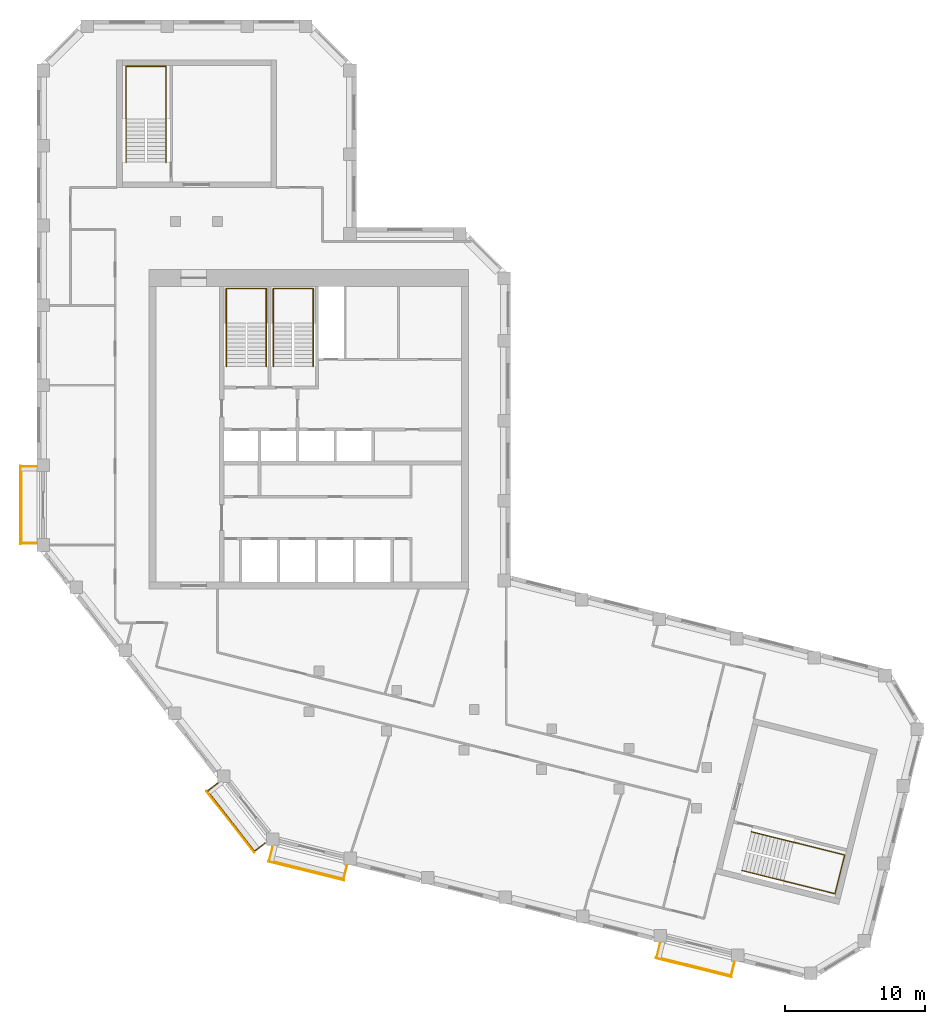
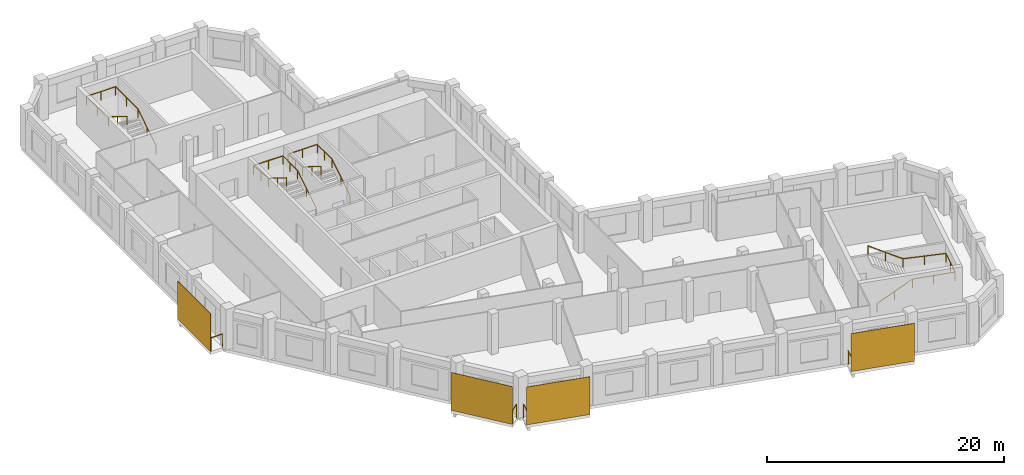
# One storey, part 8 of 8: 8 railings, 4 shading devices.
"""IFC4 building model written with IfcOpenShell, lengths in metres."""

from ifc_helpers import new_model, si_unit, direction, frame, origin, origin_2d, place, context, subcontext, project, spatial, rectangle, circle, extrude, material, layer, layer_set, type_object, element, save


model = new_model("IFC4")

# Units and contexts
model_context = context("Model", 3, precision=1e-05, world=origin(), true_north=direction((0.0, 1.0)))
body_context = subcontext(model_context, "Body", "Model", "MODEL_VIEW")
ifc_project = project(units=[si_unit("LENGTHUNIT", "METRE"), si_unit("AREAUNIT", "SQUARE_METRE"), si_unit("VOLUMEUNIT", "CUBIC_METRE"), si_unit("PLANEANGLEUNIT", "RADIAN"), si_unit("MASSUNIT", "GRAM", prefix="KILO")], contexts=[model_context])

# Site, building, storey
site_placement = place(None, origin())
site = spatial("IfcSite", under=ifc_project, at=site_placement, CompositionType="ELEMENT")
building_placement = place(site_placement, origin())
building = spatial("IfcBuilding", under=site, at=building_placement, Name="Meshkara Civic Tower", CompositionType="ELEMENT")
storey_placement = place(building_placement, frame((0.0, 0.0, 391.800048828125)))
storey = spatial("IfcBuildingStorey", under=building, at=storey_placement, Name="L90", CompositionType="ELEMENT", Elevation=391.800048828125)

# Railings
ifc_material_1 = material(Name="Steel S355", Category="steel")
railing_type_1 = type_object("IfcRailingType", Name="BALUSTRADE GUARD 1400", PredefinedType="BALUSTRADE", material=ifc_material_1)
railing_1_placement = place(storey_placement, frame((0.0, 22.8349609375, 0.0)))
element("IfcRailing", 1, at=railing_1_placement, inside=storey, type_object=railing_type_1, Name="Balcony guard", PredefinedType="BALUSTRADE", context=body_context, shape_type="SweptSolid", body=[
    extrude(circle(Radius=0.02392578125, at=origin_2d()), frame((0.0, 0.0, 1.3759765625), z_axis=(-1.0, 0.0, 0.0), x_axis=(0.0, -1.0, 0.0)), (0.0, 0.0, 1.0), 1.110107421875),
    extrude(circle(Radius=0.02392578125, at=origin_2d()), frame((-1.110107421875, 0.0, 1.3759765625), z_axis=(0.0, -1.0, 0.0), x_axis=(1.0, 0.0, 0.0)), (0.0, 0.0, 1.0), 5.4599609375),
    extrude(circle(Radius=0.02392578125, at=origin_2d()), frame((-1.110107421875, -5.4599609375, 1.3759765625), z_axis=(1.0, 0.0, 0.0), x_axis=(0.0, 1.0, 0.0)), (0.0, 0.0, 1.0), 1.110107421875),
    extrude(circle(Radius=0.02099609375, at=origin_2d()), origin(), (0.0, 0.0, 1.0), 1.351806640625),
    extrude(circle(Radius=0.02099609375, at=origin_2d()), frame((-1.110107421875, 0.0, 0.0)), (0.0, 0.0, 1.0), 1.351806640625),
    extrude(circle(Radius=0.02099609375, at=origin_2d()), frame((-1.110107421875, -1.092041015625, 0.0)), (0.0, 0.0, 1.0), 1.351806640625),
    extrude(circle(Radius=0.02099609375, at=origin_2d()), frame((-1.110107421875, -2.18408203125, 0.0)), (0.0, 0.0, 1.0), 1.351806640625),
    extrude(circle(Radius=0.02099609375, at=origin_2d()), frame((-1.110107421875, -3.27587890625, 0.0)), (0.0, 0.0, 1.0), 1.351806640625),
    extrude(circle(Radius=0.02099609375, at=origin_2d()), frame((-1.110107421875, -4.367919921875, 0.0)), (0.0, 0.0, 1.0), 1.351806640625),
    extrude(circle(Radius=0.02099609375, at=origin_2d()), frame((-1.110107421875, -5.4599609375, 0.0)), (0.0, 0.0, 1.0), 1.351806640625),
    extrude(circle(Radius=0.02099609375, at=origin_2d()), frame((0.0, -5.4599609375, 0.0)), (0.0, 0.0, 1.0), 1.351806640625),
])
railing_2_placement = place(storey_placement, frame((12.91796875, 0.27001953125, 0.0)))
element("IfcRailing", 2, at=railing_2_placement, inside=storey, type_object=railing_type_1, Name="Balcony guard", PredefinedType="BALUSTRADE", context=body_context, shape_type="SweptSolid", body=[
    extrude(circle(Radius=0.02392578125, at=origin_2d()), frame((0.0, 0.0, 1.3759765625), z_axis=(-0.788430880583, -0.615123358801, 0.0), x_axis=(0.615123358801, -0.788430880583, 0.0)), (0.0, 0.0, 1.0), 0.92822265625),
    extrude(circle(Radius=0.02392578125, at=origin_2d()), frame((-0.73193359375, -0.571044921875, 1.3759765625), z_axis=(0.615684818606, -0.787992515281, 0.0), x_axis=(0.787992515281, 0.615684818606, 0.0)), (0.0, 0.0, 1.0), 5.460693359375),
    extrude(circle(Radius=0.02392578125, at=origin_2d()), frame((2.630126953125, -4.8740234375, 1.3759765625), z_axis=(0.787920766417, 0.615776636329, 0.0), x_axis=(-0.615776636329, 0.787920766417, 0.0)), (0.0, 0.0, 1.0), 0.928955078125),
    extrude(circle(Radius=0.02099609375, at=origin_2d()), origin(), (0.0, 0.0, 1.0), 1.351806640625),
    extrude(circle(Radius=0.02099609375, at=origin_2d()), frame((-0.73193359375, -0.571044921875, 0.0)), (0.0, 0.0, 1.0), 1.351806640625),
    extrude(circle(Radius=0.02099609375, at=origin_2d()), frame((-0.0595703125, -1.431640625, 0.0)), (0.0, 0.0, 1.0), 1.351806640625),
    extrude(circle(Radius=0.02099609375, at=origin_2d()), frame((0.61279296875, -2.292236328125, 0.0)), (0.0, 0.0, 1.0), 1.351806640625),
    extrude(circle(Radius=0.02099609375, at=origin_2d()), frame((1.285400390625, -3.15283203125, 0.0)), (0.0, 0.0, 1.0), 1.351806640625),
    extrude(circle(Radius=0.02099609375, at=origin_2d()), frame((1.957763671875, -4.013427734375, 0.0)), (0.0, 0.0, 1.0), 1.351806640625),
    extrude(circle(Radius=0.02099609375, at=origin_2d()), frame((2.630126953125, -4.8740234375, 0.0)), (0.0, 0.0, 1.0), 1.351806640625),
    extrude(circle(Radius=0.02099609375, at=origin_2d()), frame((3.362060546875, -4.302001953125, 0.0)), (0.0, 0.0, 1.0), 1.351806640625),
])
railing_3_placement = place(storey_placement, frame((16.8359375, -4.2958984375, 0.0)))
element("IfcRailing", 3, at=railing_3_placement, inside=storey, type_object=railing_type_1, Name="Balcony guard", PredefinedType="BALUSTRADE", context=body_context, shape_type="SweptSolid", body=[
    extrude(circle(Radius=0.02392578125, at=origin_2d()), frame((0.0, 0.0, 1.3759765625), z_axis=(-0.24213955905, -0.97024143075, 0.0), x_axis=(0.97024143075, -0.24213955905, 0.0)), (0.0, 0.0, 1.0), 1.015380859375),
    extrude(circle(Radius=0.02392578125, at=origin_2d()), frame((-0.245849609375, -0.985107421875, 1.3759765625), z_axis=(0.970289613784, -0.241946410147, 0.0), x_axis=(0.241946410147, 0.970289613784, 0.0)), (0.0, 0.0, 1.0), 5.4599609375),
    extrude(circle(Radius=0.02392578125, at=origin_2d()), frame((5.052001953125, -2.30615234375, 1.3759765625), z_axis=(0.242365897307, 0.970184916303, 0.0), x_axis=(-0.970184916303, 0.242365897307, 0.0)), (0.0, 0.0, 1.0), 1.015380859375),
    extrude(circle(Radius=0.02099609375, at=origin_2d()), origin(), (0.0, 0.0, 1.0), 1.351806640625),
    extrude(circle(Radius=0.02099609375, at=origin_2d()), frame((-0.245849609375, -0.985107421875, 0.0)), (0.0, 0.0, 1.0), 1.351806640625),
    extrude(circle(Radius=0.02099609375, at=origin_2d()), frame((0.813720703125, -1.249267578125, 0.0)), (0.0, 0.0, 1.0), 1.351806640625),
    extrude(circle(Radius=0.02099609375, at=origin_2d()), frame((1.873291015625, -1.513427734375, 0.0)), (0.0, 0.0, 1.0), 1.351806640625),
    extrude(circle(Radius=0.02099609375, at=origin_2d()), frame((2.932861328125, -1.77783203125, 0.0)), (0.0, 0.0, 1.0), 1.351806640625),
    extrude(circle(Radius=0.02099609375, at=origin_2d()), frame((3.992431640625, -2.0419921875, 0.0)), (0.0, 0.0, 1.0), 1.351806640625),
    extrude(circle(Radius=0.02099609375, at=origin_2d()), frame((5.052001953125, -2.30615234375, 0.0)), (0.0, 0.0, 1.0), 1.351806640625),
    extrude(circle(Radius=0.02099609375, at=origin_2d()), frame((5.298095703125, -1.321044921875, 0.0)), (0.0, 0.0, 1.0), 1.351806640625),
])
railing_4_placement = place(storey_placement, frame((44.489013671875, -11.19091796875, 0.0)))
element("IfcRailing", 4, at=railing_4_placement, inside=storey, type_object=railing_type_1, Name="Balcony guard", PredefinedType="BALUSTRADE", context=body_context, shape_type="SweptSolid", body=[
    extrude(circle(Radius=0.02392578125, at=origin_2d()), frame((0.0, 0.0, 1.3759765625), z_axis=(-0.242592252133, -0.970128341615, 0.0), x_axis=(0.970128341615, -0.242592252133, 0.0)), (0.0, 0.0, 1.0), 1.014404296875),
    extrude(circle(Radius=0.02392578125, at=origin_2d()), frame((-0.24609375, -0.984130859375, 1.3759765625), z_axis=(0.970292231073, -0.24193591366, 0.0), x_axis=(0.24193591366, 0.970292231073, 0.0)), (0.0, 0.0, 1.0), 5.460205078125),
    extrude(circle(Radius=0.02392578125, at=origin_2d()), frame((5.052001953125, -2.30517578125, 1.3759765625), z_axis=(0.242592252133, 0.970128341615, 0.0), x_axis=(-0.970128341615, 0.242592252133, 0.0)), (0.0, 0.0, 1.0), 1.014404296875),
    extrude(circle(Radius=0.02099609375, at=origin_2d()), origin(), (0.0, 0.0, 1.0), 1.351806640625),
    extrude(circle(Radius=0.02099609375, at=origin_2d()), frame((-0.24609375, -0.984130859375, 0.0)), (0.0, 0.0, 1.0), 1.351806640625),
    extrude(circle(Radius=0.02099609375, at=origin_2d()), frame((0.8134765625, -1.248291015625, 0.0)), (0.0, 0.0, 1.0), 1.351806640625),
    extrude(circle(Radius=0.02099609375, at=origin_2d()), frame((1.873046875, -1.512451171875, 0.0)), (0.0, 0.0, 1.0), 1.351806640625),
    extrude(circle(Radius=0.02099609375, at=origin_2d()), frame((2.932861328125, -1.77685546875, 0.0)), (0.0, 0.0, 1.0), 1.351806640625),
    extrude(circle(Radius=0.02099609375, at=origin_2d()), frame((3.992431640625, -2.041015625, 0.0)), (0.0, 0.0, 1.0), 1.351806640625),
    extrude(circle(Radius=0.02099609375, at=origin_2d()), frame((5.052001953125, -2.30517578125, 0.0)), (0.0, 0.0, 1.0), 1.351806640625),
    extrude(circle(Radius=0.02099609375, at=origin_2d()), frame((5.298095703125, -1.321044921875, 0.0)), (0.0, 0.0, 1.0), 1.351806640625),
])

# Shading devices
ifc_material_2 = material(Name="Perforated bronze anodised aluminium sheet", Category="aluminium")
ifc_layer = layer(ifc_material_2, 0.0400390625)
ifc_layer_set = layer_set([ifc_layer], Name="PERFORATED BRONZE SCREEN")
shading_device_type = type_object("IfcShadingDeviceType", Name="PERFORATED BRONZE SCREEN", PredefinedType="USERDEFINED", material=ifc_layer_set)
for number, where, z_axis, x_axis, name in (
    (5, (-1.179931640625, 20.10498046875, 0.0), (0.0, 0.0, 1.0), (0.0, -1.0, 0.0), "Balcony screen"),
    (6, (13.81201171875, -2.4951171875, 0.0), (0.0, 0.0, 1.0), (0.615661475326, -0.788010753607, 0.0), "Balcony screen"),
    (7, (19.221923828125, -6.009033203125, 0.0), (0.0, 0.0, 1.0), (0.970295726276, -0.2419218956, 0.0), "Balcony screen"),
    (8, (46.875, -12.904052734375, 0.0), (0.0, 0.0, 1.0), (0.970295726276, -0.2419218956, 0.0), "Balcony screen"),
):
    element("IfcShadingDevice", number, at=place(storey_placement, frame(where, z_axis=z_axis, x_axis=x_axis)), inside=storey, type_object=shading_device_type, Name=name, ObjectType="SCREEN", PredefinedType="USERDEFINED", context=body_context, shape_type="SweptSolid", body=[
        extrude(rectangle(XDim=5.580078125, YDim=0.0400390625, at=origin_2d()), origin(), (0.0, 0.0, 1.0), 3.89990234375),
    ])

# Railings
ifc_material_3 = material(Name="Steel handrail", Category="steel")
railing_type_2 = type_object("IfcRailingType", Name="Stair handrail 900", PredefinedType="HANDRAIL", material=ifc_material_3)
railing_5_placement = place(storey_placement, frame((16.375, 30.0, 0.175048828125)))
element("IfcRailing", 9, at=railing_5_placement, inside=storey, type_object=railing_type_2, Name="L90 ST1 stair handrail 1", PredefinedType="HANDRAIL", context=body_context, shape_type="SweptSolid", body=[
    extrude(circle(Radius=0.02392578125, at=origin_2d()), frame((0.0, 0.0, 0.8759765625), z_axis=(0.0, 0.848028513186, 0.529950602248), x_axis=(-1.0, 0.0, 0.0)), (0.0, 0.0, 1.0), 3.632080078125),
    extrude(circle(Radius=0.02392578125, at=origin_2d()), frame((0.0, 3.080078125, 2.80078125), z_axis=(0.0, 1.0, 0.0), x_axis=(-1.0, 0.0, 0.0)), (0.0, 0.0, 1.0), 2.469970703125),
    extrude(circle(Radius=0.02392578125, at=origin_2d()), frame((0.0, 5.550048828125, 2.80078125), z_axis=(-1.0, 0.0, 0.0), x_axis=(0.0, -1.0, 0.0)), (0.0, 0.0, 1.0), 2.85009765625),
    extrude(circle(Radius=0.02392578125, at=origin_2d()), frame((-2.85009765625, 5.550048828125, 2.80078125), z_axis=(0.0, -0.997498084828, 0.070693498747), x_axis=(1.0, 0.0, 0.0)), (0.0, 0.0, 1.0), 2.47607421875),
    extrude(circle(Radius=0.02392578125, at=origin_2d()), frame((-2.85009765625, 3.080078125, 2.9755859375), z_axis=(0.0, -0.847998304005, 0.529998940003), x_axis=(1.0, 0.0, 0.0)), (0.0, 0.0, 1.0), 3.632080078125),
    extrude(circle(Radius=0.02099609375, at=origin_2d()), origin(), (0.0, 0.0, 1.0), 0.851806640625),
    extrude(circle(Radius=0.02099609375, at=origin_2d()), frame((0.0, 1.5400390625, 0.96240234375)), (0.0, 0.0, 1.0), 0.851806640625),
    extrude(circle(Radius=0.02099609375, at=origin_2d()), frame((0.0, 3.080078125, 1.9248046875)), (0.0, 0.0, 1.0), 0.851806640625),
    extrude(circle(Radius=0.02099609375, at=origin_2d()), frame((0.0, 4.31494140625, 1.9248046875)), (0.0, 0.0, 1.0), 0.851806640625),
    extrude(circle(Radius=0.02099609375, at=origin_2d()), frame((0.0, 5.550048828125, 1.9248046875)), (0.0, 0.0, 1.0), 0.851806640625),
    extrude(circle(Radius=0.02099609375, at=origin_2d()), frame((-1.425048828125, 5.550048828125, 1.9248046875)), (0.0, 0.0, 1.0), 0.851806640625),
    extrude(circle(Radius=0.02099609375, at=origin_2d()), frame((-2.85009765625, 5.550048828125, 1.9248046875)), (0.0, 0.0, 1.0), 0.851806640625),
    extrude(circle(Radius=0.02099609375, at=origin_2d()), frame((-2.85009765625, 4.31494140625, 2.01220703125)), (0.0, 0.0, 1.0), 0.851806640625),
    extrude(circle(Radius=0.02099609375, at=origin_2d()), frame((-2.85009765625, 3.080078125, 2.099853515625)), (0.0, 0.0, 1.0), 0.851806640625),
    extrude(circle(Radius=0.02099609375, at=origin_2d()), frame((-2.85009765625, 1.5400390625, 3.0625)), (0.0, 0.0, 1.0), 0.851806640625),
    extrude(circle(Radius=0.02099609375, at=origin_2d()), frame((-2.85009765625, 0.0, 4.02490234375)), (0.0, 0.0, 1.0), 0.851806640625),
])
railing_6_placement = place(storey_placement, frame((19.72509765625, 30.0, 0.175048828125)))
element("IfcRailing", 10, at=railing_6_placement, inside=storey, type_object=railing_type_2, Name="L90 ST2 stair handrail 1", PredefinedType="HANDRAIL", context=body_context, shape_type="SweptSolid", body=[
    extrude(circle(Radius=0.02392578125, at=origin_2d()), frame((0.0, 0.0, 0.8759765625), z_axis=(0.0, 0.848028513186, 0.529950602248), x_axis=(-1.0, 0.0, 0.0)), (0.0, 0.0, 1.0), 3.632080078125),
    extrude(circle(Radius=0.02392578125, at=origin_2d()), frame((0.0, 3.080078125, 2.80078125), z_axis=(0.0, 1.0, 0.0), x_axis=(-1.0, 0.0, 0.0)), (0.0, 0.0, 1.0), 2.469970703125),
    extrude(circle(Radius=0.02392578125, at=origin_2d()), frame((0.0, 5.550048828125, 2.80078125), z_axis=(-1.0, 0.0, 0.0), x_axis=(0.0, -1.0, 0.0)), (0.0, 0.0, 1.0), 2.85009765625),
    extrude(circle(Radius=0.02392578125, at=origin_2d()), frame((-2.85009765625, 5.550048828125, 2.80078125), z_axis=(0.0, -0.997498084828, 0.070693498747), x_axis=(1.0, 0.0, 0.0)), (0.0, 0.0, 1.0), 2.47607421875),
    extrude(circle(Radius=0.02392578125, at=origin_2d()), frame((-2.85009765625, 3.080078125, 2.9755859375), z_axis=(0.0, -0.847998304005, 0.529998940003), x_axis=(1.0, 0.0, 0.0)), (0.0, 0.0, 1.0), 3.632080078125),
    extrude(circle(Radius=0.02099609375, at=origin_2d()), origin(), (0.0, 0.0, 1.0), 0.851806640625),
    extrude(circle(Radius=0.02099609375, at=origin_2d()), frame((0.0, 1.5400390625, 0.96240234375)), (0.0, 0.0, 1.0), 0.851806640625),
    extrude(circle(Radius=0.02099609375, at=origin_2d()), frame((0.0, 3.080078125, 1.9248046875)), (0.0, 0.0, 1.0), 0.851806640625),
    extrude(circle(Radius=0.02099609375, at=origin_2d()), frame((0.0, 4.31494140625, 1.9248046875)), (0.0, 0.0, 1.0), 0.851806640625),
    extrude(circle(Radius=0.02099609375, at=origin_2d()), frame((0.0, 5.550048828125, 1.9248046875)), (0.0, 0.0, 1.0), 0.851806640625),
    extrude(circle(Radius=0.02099609375, at=origin_2d()), frame((-1.425048828125, 5.550048828125, 1.9248046875)), (0.0, 0.0, 1.0), 0.851806640625),
    extrude(circle(Radius=0.02099609375, at=origin_2d()), frame((-2.85009765625, 5.550048828125, 1.9248046875)), (0.0, 0.0, 1.0), 0.851806640625),
    extrude(circle(Radius=0.02099609375, at=origin_2d()), frame((-2.85009765625, 4.31494140625, 2.01220703125)), (0.0, 0.0, 1.0), 0.851806640625),
    extrude(circle(Radius=0.02099609375, at=origin_2d()), frame((-2.85009765625, 3.080078125, 2.099853515625)), (0.0, 0.0, 1.0), 0.851806640625),
    extrude(circle(Radius=0.02099609375, at=origin_2d()), frame((-2.85009765625, 1.5400390625, 3.0625)), (0.0, 0.0, 1.0), 0.851806640625),
    extrude(circle(Radius=0.02099609375, at=origin_2d()), frame((-2.85009765625, 0.0, 4.02490234375)), (0.0, 0.0, 1.0), 0.851806640625),
])
railing_7_placement = place(storey_placement, frame((9.22509765625, 44.570068359375, 0.175048828125)))
element("IfcRailing", 11, at=railing_7_placement, inside=storey, type_object=railing_type_2, Name="L90 ESA6 stair handrail 1", PredefinedType="HANDRAIL", context=body_context, shape_type="SweptSolid", body=[
    extrude(circle(Radius=0.02392578125, at=origin_2d()), frame((0.0, 0.0, 0.8759765625), z_axis=(0.0, 0.848009633417, 0.529980812513), x_axis=(-1.0, 0.0, 0.0)), (0.0, 0.0, 1.0), 3.6318359375),
    extrude(circle(Radius=0.02392578125, at=origin_2d()), frame((0.0, 3.079833984375, 2.80078125), z_axis=(0.0, 1.0, 0.0), x_axis=(-1.0, 0.0, 0.0)), (0.0, 0.0, 1.0), 3.77001953125),
    extrude(circle(Radius=0.02392578125, at=origin_2d()), frame((0.0, 6.849853515625, 2.80078125), z_axis=(-1.0, 0.0, 0.0), x_axis=(0.0, -1.0, 0.0)), (0.0, 0.0, 1.0), 2.85009765625),
    extrude(circle(Radius=0.02392578125, at=origin_2d()), frame((-2.85009765625, 6.849853515625, 2.80078125), z_axis=(0.0, -0.9989237834, 0.046381838667), x_axis=(1.0, 0.0, 0.0)), (0.0, 0.0, 1.0), 3.774169921875),
    extrude(circle(Radius=0.02392578125, at=origin_2d()), frame((-2.85009765625, 3.079833984375, 2.9755859375), z_axis=(0.0, -0.847979421464, 0.530029150871), x_axis=(1.0, 0.0, 0.0)), (0.0, 0.0, 1.0), 3.632080078125),
    extrude(circle(Radius=0.02099609375, at=origin_2d()), origin(), (0.0, 0.0, 1.0), 0.851806640625),
    extrude(circle(Radius=0.02099609375, at=origin_2d()), frame((0.0, 1.5400390625, 0.96240234375)), (0.0, 0.0, 1.0), 0.851806640625),
    extrude(circle(Radius=0.02099609375, at=origin_2d()), frame((0.0, 3.079833984375, 1.9248046875)), (0.0, 0.0, 1.0), 0.851806640625),
    extrude(circle(Radius=0.02099609375, at=origin_2d()), frame((0.0, 4.96484375, 1.9248046875)), (0.0, 0.0, 1.0), 0.851806640625),
    extrude(circle(Radius=0.02099609375, at=origin_2d()), frame((0.0, 6.849853515625, 1.9248046875)), (0.0, 0.0, 1.0), 0.851806640625),
    extrude(circle(Radius=0.02099609375, at=origin_2d()), frame((-1.425048828125, 6.849853515625, 1.9248046875)), (0.0, 0.0, 1.0), 0.851806640625),
    extrude(circle(Radius=0.02099609375, at=origin_2d()), frame((-2.85009765625, 6.849853515625, 1.9248046875)), (0.0, 0.0, 1.0), 0.851806640625),
    extrude(circle(Radius=0.02099609375, at=origin_2d()), frame((-2.85009765625, 4.96484375, 2.01220703125)), (0.0, 0.0, 1.0), 0.851806640625),
    extrude(circle(Radius=0.02099609375, at=origin_2d()), frame((-2.85009765625, 3.079833984375, 2.099853515625)), (0.0, 0.0, 1.0), 0.851806640625),
    extrude(circle(Radius=0.02099609375, at=origin_2d()), frame((-2.85009765625, 1.5400390625, 3.0625)), (0.0, 0.0, 1.0), 0.851806640625),
    extrude(circle(Radius=0.02099609375, at=origin_2d()), frame((-2.85009765625, 0.0, 4.02490234375)), (0.0, 0.0, 1.0), 0.851806640625),
])
railing_8_placement = place(storey_placement, frame((50.31884765625, -5.975341796875, 0.175048828125)))
element("IfcRailing", 12, at=railing_8_placement, inside=storey, type_object=railing_type_2, Name="L90 ESB6 stair handrail 1", PredefinedType="HANDRAIL", context=body_context, shape_type="SweptSolid", body=[
    extrude(circle(Radius=0.02392578125, at=origin_2d()), frame((0.0, 0.0, 0.8759765625), z_axis=(0.822845324611, -0.205089542144, 0.529965896515), x_axis=(0.241845469214, 0.970314778317, 0.0)), (0.0, 0.0, 1.0), 3.6318359375),
    extrude(circle(Radius=0.02392578125, at=origin_2d()), frame((2.988525390625, -0.744873046875, 2.80078125), z_axis=(0.970325068916, -0.241804178279, 0.0), x_axis=(0.241804178279, 0.970325068916, 0.0)), (0.0, 0.0, 1.0), 3.77001953125),
    extrude(circle(Radius=0.02392578125, at=origin_2d()), frame((6.646728515625, -1.656494140625, 2.80078125), z_axis=(0.24183009087, 0.970318611153, 0.0), x_axis=(-0.970318611153, 0.24183009087, 0.0)), (0.0, 0.0, 1.0), 2.849853515625),
    extrude(circle(Radius=0.02392578125, at=origin_2d()), frame((7.3359375, 1.10888671875, 2.80078125), z_axis=(-0.969265675791, 0.241604865128, 0.046380371699), x_axis=(-0.241865147941, -0.970309873294, 0.0)), (0.0, 0.0, 1.0), 3.774169921875),
    extrude(circle(Radius=0.02392578125, at=origin_2d()), frame((3.677734375, 2.020751953125, 2.9755859375), z_axis=(-0.822827351915, 0.205017843586, 0.530021539894), x_axis=(-0.241770835762, -0.970333377234, 0.0)), (0.0, 0.0, 1.0), 3.632080078125),
    extrude(circle(Radius=0.02099609375, at=origin_2d()), origin(), (0.0, 0.0, 1.0), 0.851806640625),
    extrude(circle(Radius=0.02099609375, at=origin_2d()), frame((1.494140625, -0.37255859375, 0.96240234375)), (0.0, 0.0, 1.0), 0.851806640625),
    extrude(circle(Radius=0.02099609375, at=origin_2d()), frame((2.988525390625, -0.744873046875, 1.9248046875)), (0.0, 0.0, 1.0), 0.851806640625),
    extrude(circle(Radius=0.02099609375, at=origin_2d()), frame((4.817626953125, -1.20068359375, 1.9248046875)), (0.0, 0.0, 1.0), 0.851806640625),
    extrude(circle(Radius=0.02099609375, at=origin_2d()), frame((6.646728515625, -1.656494140625, 1.9248046875)), (0.0, 0.0, 1.0), 0.851806640625),
    extrude(circle(Radius=0.02099609375, at=origin_2d()), frame((6.9912109375, -0.27392578125, 1.9248046875)), (0.0, 0.0, 1.0), 0.851806640625),
    extrude(circle(Radius=0.02099609375, at=origin_2d()), frame((7.3359375, 1.10888671875, 1.9248046875)), (0.0, 0.0, 1.0), 0.851806640625),
    extrude(circle(Radius=0.02099609375, at=origin_2d()), frame((5.5068359375, 1.56494140625, 2.01220703125)), (0.0, 0.0, 1.0), 0.851806640625),
    extrude(circle(Radius=0.02099609375, at=origin_2d()), frame((3.677734375, 2.020751953125, 2.099853515625)), (0.0, 0.0, 1.0), 0.851806640625),
    extrude(circle(Radius=0.02099609375, at=origin_2d()), frame((2.18359375, 2.39306640625, 3.0625)), (0.0, 0.0, 1.0), 0.851806640625),
    extrude(circle(Radius=0.02099609375, at=origin_2d()), frame((0.689208984375, 2.765380859375, 4.02490234375)), (0.0, 0.0, 1.0), 0.851806640625),
])

save(model, "model.ifc")
